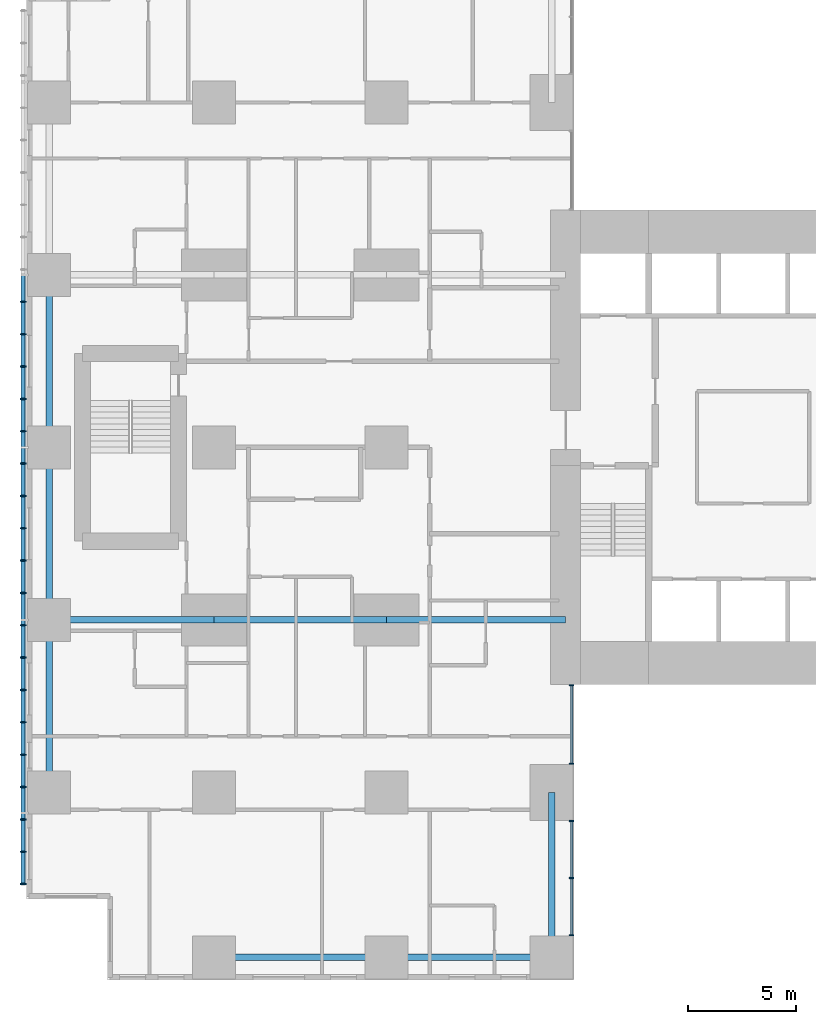
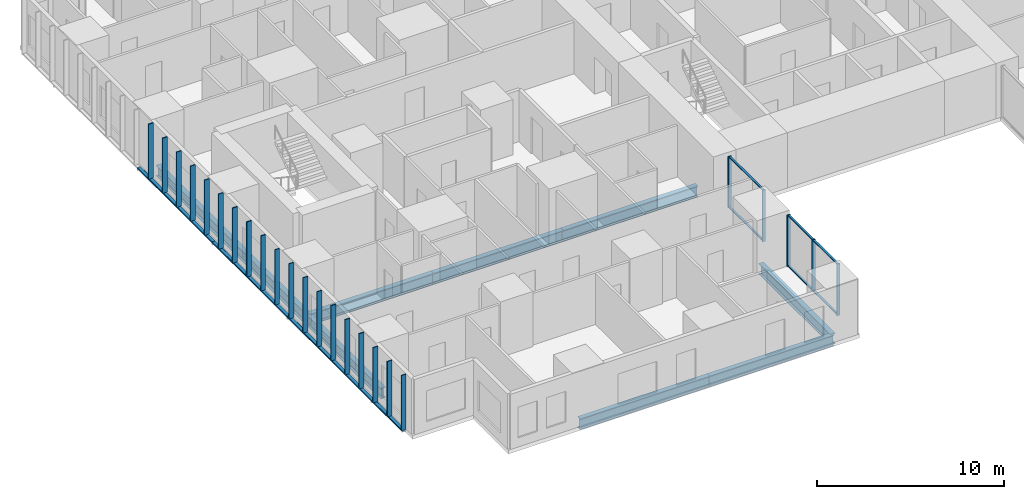
# One storey, part 2 of 20: 33 members, 9 beams, 2 elements without a shape of their own.
"""IFC4 building model written with IfcOpenShell, lengths in metres."""

from ifc_helpers import new_model, si_unit, direction, frame, origin, origin_2d, place, context, subcontext, project, spatial, rectangle, hollow_rectangle, i_section, extrude, material, layer, layer_set, material_profile, profile_set, type_object, element, aggregate, save


model = new_model("IFC4")

# Units and contexts
model_context = context("Model", 3, precision=1e-05, world=origin(), true_north=direction((0.0, 1.0)))
body_context = subcontext(model_context, "Body", "Model", "MODEL_VIEW")
ifc_project = project(units=[si_unit("LENGTHUNIT", "METRE"), si_unit("AREAUNIT", "SQUARE_METRE"), si_unit("VOLUMEUNIT", "CUBIC_METRE"), si_unit("PLANEANGLEUNIT", "RADIAN"), si_unit("MASSUNIT", "GRAM", prefix="KILO")], contexts=[model_context])

# Site, building, storey
site_placement = place(None, origin())
site = spatial("IfcSite", under=ifc_project, at=site_placement, CompositionType="ELEMENT")
building_placement = place(site_placement, origin())
building = spatial("IfcBuilding", under=site, at=building_placement, Name="Cleftline Residences", CompositionType="ELEMENT")
storey_placement = place(building_placement, frame((0.0, 0.0, 62.0)))
storey = spatial("IfcBuildingStorey", under=building, at=storey_placement, Name="L15", CompositionType="ELEMENT", Elevation=62.0)

# Members
ifc_material_1 = material(Name="Steel S355, hot-dip galvanised", Category="steel")
ifc_material_profile_1 = material_profile(ifc_material_1, hollow_rectangle(XDim=0.10009765625, YDim=0.199951171875, WallThickness=0.008056640625, InnerFilletRadius=0.008056640625, OuterFilletRadius=0.011962890625, at=origin_2d()))
ifc_profile_set_1 = profile_set([ifc_material_profile_1], Name="Steel S355, hot-dip galvanised")
member_type_1 = type_object("IfcMemberType", Name="BAGUETTE CARRIER RHS 200X100X8", PredefinedType="USERDEFINED", material=ifc_profile_set_1)
for number, where, z_axis, x_axis, name in (
    (1, (-0.85009765625, 32.0, -0.050048828125), (0.0, -1.0, 0.0), (0.0, 0.0, 1.0), "Baguette carrier"),
    (2, (-0.85009765625, 24.0, -0.050048828125), (0.0, -1.0, 0.0), (0.0, 0.0, 1.0), "Baguette carrier"),
):
    element("IfcMember", number, at=place(storey_placement, frame(where, z_axis=z_axis, x_axis=x_axis)), inside=storey, type_object=member_type_1, Name=name, ObjectType="BAGUETTE CARRIER", PredefinedType="USERDEFINED", context=body_context, shape_type="SweptSolid", body=[
        extrude(hollow_rectangle(XDim=0.10009765625, YDim=0.199951171875, WallThickness=0.008056640625, InnerFilletRadius=0.008056640625, OuterFilletRadius=0.011962890625, at=origin_2d()), origin(), (0.0, 0.0, 1.0), 8.0),
    ])
member_1_placement = place(storey_placement, frame((-0.85009765625, 16.0, -0.050048828125), z_axis=(0.0, -1.0, 0.0), x_axis=(0.0, 0.0, 1.0)))
element("IfcMember", 3, at=member_1_placement, inside=storey, type_object=member_type_1, Name="Baguette carrier", ObjectType="BAGUETTE CARRIER", PredefinedType="USERDEFINED", context=body_context, shape_type="SweptSolid", body=[
    extrude(hollow_rectangle(XDim=0.10009765625, YDim=0.199951171875, WallThickness=0.008056640625, InnerFilletRadius=0.008056640625, OuterFilletRadius=0.011962890625, at=origin_2d()), origin(), (0.0, 0.0, 1.0), 12.300048828125),
])

# Beams
ifc_material_2 = material(Name="Steel S355", Category="steel")
ifc_material_profile_2 = material_profile(ifc_material_2, i_section(OverallWidth=0.300048828125, OverallDepth=0.699951171875, WebThickness=0.01708984375, FlangeThickness=0.031982421875, FilletRadius=0.027099609375, at=origin_2d()))
ifc_profile_set_2 = profile_set([ifc_material_profile_2], Name="Steel S355")
beam_type_1 = type_object("IfcBeamType", Name="BEAM HEB 700", PredefinedType="BEAM", material=ifc_profile_set_2)
for number, where, z_axis, x_axis, name in (
    (4, (0.35009765625, 8.0, -0.60009765625), (0.0, 1.0, 0.0), (-1.0, 0.0, 0.0), "Edge beam"),
    (5, (0.35009765625, 16.0, -0.60009765625), (0.0, 1.0, 0.0), (-1.0, 0.0, 0.0), "Edge beam"),
    (6, (0.35009765625, 24.0, -0.60009765625), (0.0, 1.0, 0.0), (-1.0, 0.0, 0.0), "Edge beam"),
    (7, (8.0, 0.35009765625, -0.60009765625), (1.0, 0.0, 0.0), (0.0, 1.0, 0.0), "Edge beam"),
):
    element("IfcBeam", number, at=place(storey_placement, frame(where, z_axis=z_axis, x_axis=x_axis)), inside=storey, type_object=beam_type_1, Name=name, PredefinedType="BEAM", context=body_context, shape_type="SweptSolid", body=[
        extrude(i_section(OverallWidth=0.300048828125, OverallDepth=0.699951171875, WebThickness=0.01708984375, FlangeThickness=0.031982421875, FilletRadius=0.027099609375, at=origin_2d()), origin(), (0.0, 0.0, 1.0), 8.0),
    ])
for number, where, z_axis, x_axis, name in (
    (8, (16.0, 0.35009765625, -0.60009765625), (1.0, 0.0, 0.0), (0.0, 1.0, 0.0), "Edge beam"),
    (9, (23.64990234375, 0.35009765625, -0.60009765625), (0.0, 1.0, 0.0), (-1.0, 0.0, 0.0), "Edge beam"),
):
    element("IfcBeam", number, at=place(storey_placement, frame(where, z_axis=z_axis, x_axis=x_axis)), inside=storey, type_object=beam_type_1, Name=name, PredefinedType="BEAM", context=body_context, shape_type="SweptSolid", body=[
        extrude(i_section(OverallWidth=0.300048828125, OverallDepth=0.699951171875, WebThickness=0.01708984375, FlangeThickness=0.031982421875, FilletRadius=0.027099609375, at=origin_2d()), origin(), (0.0, 0.0, 1.0), 7.64990234375),
    ])
ifc_material_3 = material(Name="Steel S355", Category="steel")
ifc_material_profile_3 = material_profile(ifc_material_3, i_section(OverallWidth=0.303955078125, OverallDepth=0.716064453125, WebThickness=0.02099609375, FlangeThickness=0.0400390625, FilletRadius=0.027099609375, at=origin_2d()))
ifc_profile_set_3 = profile_set([ifc_material_profile_3], Name="Steel S355")
beam_type_2 = type_object("IfcBeamType", Name="BEAM HEM 700", PredefinedType="BEAM", material=ifc_profile_set_3)
beam_1_placement = place(storey_placement, frame((0.35009765625, 16.0, -0.60791015625), z_axis=(1.0, 0.0, 0.0), x_axis=(0.0, 1.0, 0.0)))
element("IfcBeam", 10, at=beam_1_placement, inside=storey, type_object=beam_type_2, Name="Band beam", PredefinedType="BEAM", context=body_context, shape_type="SweptSolid", body=[
    extrude(i_section(OverallWidth=0.303955078125, OverallDepth=0.716064453125, WebThickness=0.02099609375, FlangeThickness=0.0400390625, FilletRadius=0.027099609375, at=origin_2d()), origin(), (0.0, 0.0, 1.0), 7.64990234375),
])
beam_2_placement = place(storey_placement, frame((8.0, 16.0, -0.60791015625), z_axis=(1.0, 0.0, 0.0), x_axis=(0.0, 1.0, 0.0)))
element("IfcBeam", 11, at=beam_2_placement, inside=storey, type_object=beam_type_2, Name="Band beam", PredefinedType="BEAM", context=body_context, shape_type="SweptSolid", body=[
    extrude(i_section(OverallWidth=0.303955078125, OverallDepth=0.716064453125, WebThickness=0.02099609375, FlangeThickness=0.0400390625, FilletRadius=0.027099609375, at=origin_2d()), origin(), (0.0, 0.0, 1.0), 8.0),
])
beam_3_placement = place(storey_placement, frame((16.0, 16.0, -0.60791015625), z_axis=(1.0, 0.0, 0.0), x_axis=(0.0, 1.0, 0.0)))
element("IfcBeam", 12, at=beam_3_placement, inside=storey, type_object=beam_type_2, Name="Band beam", PredefinedType="BEAM", context=body_context, shape_type="SweptSolid", body=[
    extrude(i_section(OverallWidth=0.303955078125, OverallDepth=0.716064453125, WebThickness=0.02099609375, FlangeThickness=0.0400390625, FilletRadius=0.027099609375, at=origin_2d()), origin(), (0.0, 0.0, 1.0), 8.300048828125),
])

# Curtain wall, members
ifc_material_4 = material(Name="Aluminium framed curtain wall", Category="aluminium")
ifc_layer = layer(ifc_material_4, 0.199951171875)
ifc_layer_set = layer_set([ifc_layer], Name="CW1 CLEFT GLAZING")
curtain_wall_type = type_object("IfcCurtainWallType", Name="CW1 CLEFT GLAZING", PredefinedType="NOTDEFINED", material=ifc_layer_set)
curtain_wall_1_placement = place(storey_placement, origin())
curtain_wall_1 = element("IfcCurtainWall", 13, at=curtain_wall_1_placement, inside=storey, type_object=curtain_wall_type, Name="Curtain wall CW1", PredefinedType="NOTDEFINED")
ifc_material_5 = material(Name="Aluminium mullion", Category="aluminium")
ifc_material_profile_4 = material_profile(ifc_material_5, rectangle(XDim=0.199951171875, YDim=0.06005859375, at=origin_2d()))
ifc_profile_set_4 = profile_set([ifc_material_profile_4], Name="Aluminium mullion")
member_type_2 = type_object("IfcMemberType", Name="CW1 MULLION", PredefinedType="MULLION", material=ifc_profile_set_4)
member_2_placement = place(storey_placement, frame((24.574951171875, 1.3798828125, 0.0), z_axis=(0.0, 0.0, 1.0), x_axis=(-1.0, 0.0, 0.0)))
member_2 = element("IfcMember", 14, at=member_2_placement, type_object=member_type_2, Name="CW1 mullion 1", PredefinedType="MULLION", context=body_context, shape_type="SweptSolid", body=[
    extrude(rectangle(XDim=0.199951171875, YDim=0.06005859375, at=origin_2d()), origin(), (0.0, 0.0, 1.0), 3.35009765625),
])
member_3_placement = place(storey_placement, frame((24.574951171875, 4.02490234375, 0.0), z_axis=(0.0, 0.0, 1.0), x_axis=(-1.0, 0.0, 0.0)))
member_3 = element("IfcMember", 15, at=member_3_placement, type_object=member_type_2, Name="CW1 mullion 2", PredefinedType="MULLION", context=body_context, shape_type="SweptSolid", body=[
    extrude(rectangle(XDim=0.199951171875, YDim=0.06005859375, at=origin_2d()), origin(), (0.0, 0.0, 1.0), 3.35009765625),
])
member_4_placement = place(storey_placement, frame((24.574951171875, 6.669921875, 0.0), z_axis=(0.0, 0.0, 1.0), x_axis=(-1.0, 0.0, 0.0)))
member_4 = element("IfcMember", 16, at=member_4_placement, type_object=member_type_2, Name="CW1 mullion 3", PredefinedType="MULLION", context=body_context, shape_type="SweptSolid", body=[
    extrude(rectangle(XDim=0.199951171875, YDim=0.06005859375, at=origin_2d()), origin(), (0.0, 0.0, 1.0), 3.35009765625),
])

curtain_wall_2_placement = place(storey_placement, origin())
curtain_wall_2 = element("IfcCurtainWall", 17, at=curtain_wall_2_placement, inside=storey, type_object=curtain_wall_type, Name="Curtain wall CW1", PredefinedType="NOTDEFINED")
member_5_placement = place(storey_placement, frame((24.574951171875, 9.330078125, 0.0), z_axis=(0.0, 0.0, 1.0), x_axis=(-1.0, 0.0, 0.0)))
member_5 = element("IfcMember", 18, at=member_5_placement, type_object=member_type_2, Name="CW1 mullion 1", PredefinedType="MULLION", context=body_context, shape_type="SweptSolid", body=[
    extrude(rectangle(XDim=0.199951171875, YDim=0.06005859375, at=origin_2d()), origin(), (0.0, 0.0, 1.0), 3.35009765625),
])
member_6_placement = place(storey_placement, frame((24.574951171875, 12.969970703125, 0.0), z_axis=(0.0, 0.0, 1.0), x_axis=(-1.0, 0.0, 0.0)))
member_6 = element("IfcMember", 19, at=member_6_placement, type_object=member_type_2, Name="CW1 mullion 2", PredefinedType="MULLION", context=body_context, shape_type="SweptSolid", body=[
    extrude(rectangle(XDim=0.199951171875, YDim=0.06005859375, at=origin_2d()), origin(), (0.0, 0.0, 1.0), 3.35009765625),
])

# Member
ifc_material_6 = material(Name="Aluminium transom", Category="aluminium")
ifc_material_profile_5 = material_profile(ifc_material_6, rectangle(XDim=0.1201171875, YDim=0.06005859375, at=origin_2d()))
ifc_profile_set_5 = profile_set([ifc_material_profile_5], Name="Aluminium transom")
member_type_3 = type_object("IfcMemberType", Name="CW1 TRANSOM", PredefinedType="USERDEFINED", material=ifc_profile_set_5)
member_7_placement = place(storey_placement, frame((24.574951171875, 1.409912109375, 0.030029296875), z_axis=(0.0, 1.0, 0.0), x_axis=(-1.0, 0.0, 0.0)))
member_7 = element("IfcMember", 20, at=member_7_placement, type_object=member_type_3, Name="CW1 transom 1.1", ObjectType="TRANSOM", PredefinedType="USERDEFINED", context=body_context, shape_type="SweptSolid", body=[
    extrude(rectangle(XDim=0.1201171875, YDim=0.06005859375, at=origin_2d()), origin(), (0.0, 0.0, 1.0), 2.585205078125),
])

member_8_placement = place(storey_placement, frame((24.574951171875, 1.409912109375, 3.320068359375), z_axis=(0.0, 1.0, 0.0), x_axis=(-1.0, 0.0, 0.0)))
member_8 = element("IfcMember", 21, at=member_8_placement, type_object=member_type_3, Name="CW1 transom 1.2", ObjectType="TRANSOM", PredefinedType="USERDEFINED", context=body_context, shape_type="SweptSolid", body=[
    extrude(rectangle(XDim=0.1201171875, YDim=0.06005859375, at=origin_2d()), origin(), (0.0, 0.0, 1.0), 2.585205078125),
])

member_9_placement = place(storey_placement, frame((24.574951171875, 4.054931640625, 0.030029296875), z_axis=(0.0, 1.0, 0.0), x_axis=(-1.0, 0.0, 0.0)))
member_9 = element("IfcMember", 22, at=member_9_placement, type_object=member_type_3, Name="CW1 transom 2.1", ObjectType="TRANSOM", PredefinedType="USERDEFINED", context=body_context, shape_type="SweptSolid", body=[
    extrude(rectangle(XDim=0.1201171875, YDim=0.06005859375, at=origin_2d()), origin(), (0.0, 0.0, 1.0), 2.5849609375),
])

member_10_placement = place(storey_placement, frame((24.574951171875, 4.054931640625, 3.320068359375), z_axis=(0.0, 1.0, 0.0), x_axis=(-1.0, 0.0, 0.0)))
member_10 = element("IfcMember", 23, at=member_10_placement, type_object=member_type_3, Name="CW1 transom 2.2", ObjectType="TRANSOM", PredefinedType="USERDEFINED", context=body_context, shape_type="SweptSolid", body=[
    extrude(rectangle(XDim=0.1201171875, YDim=0.06005859375, at=origin_2d()), origin(), (0.0, 0.0, 1.0), 2.5849609375),
])

aggregate(curtain_wall_1, [member_2, member_3, member_4, member_7, member_8, member_9, member_10])

member_11_placement = place(storey_placement, frame((24.574951171875, 9.360107421875, 0.030029296875), z_axis=(0.0, 1.0, 0.0), x_axis=(-1.0, 0.0, 0.0)))
member_11 = element("IfcMember", 24, at=member_11_placement, type_object=member_type_3, Name="CW1 transom 1.1", ObjectType="TRANSOM", PredefinedType="USERDEFINED", context=body_context, shape_type="SweptSolid", body=[
    extrude(rectangle(XDim=0.1201171875, YDim=0.06005859375, at=origin_2d()), origin(), (0.0, 0.0, 1.0), 3.579833984375),
])

member_12_placement = place(storey_placement, frame((24.574951171875, 9.360107421875, 3.320068359375), z_axis=(0.0, 1.0, 0.0), x_axis=(-1.0, 0.0, 0.0)))
member_12 = element("IfcMember", 25, at=member_12_placement, type_object=member_type_3, Name="CW1 transom 1.2", ObjectType="TRANSOM", PredefinedType="USERDEFINED", context=body_context, shape_type="SweptSolid", body=[
    extrude(rectangle(XDim=0.1201171875, YDim=0.06005859375, at=origin_2d()), origin(), (0.0, 0.0, 1.0), 3.579833984375),
])

aggregate(curtain_wall_2, [member_5, member_6, member_11, member_12])

# Members
ifc_material_7 = material(Name="Extruded terracotta", Category="masonry")
ifc_material_profile_6 = material_profile(ifc_material_7, rectangle(XDim=0.06005859375, YDim=0.300048828125, at=origin_2d()))
ifc_profile_set_6 = profile_set([ifc_material_profile_6], Name="Extruded terracotta")
member_type_4 = type_object("IfcMemberType", Name="TERRACOTTA BAGUETTE 60X300", PredefinedType="USERDEFINED", material=ifc_profile_set_6)
for number, where, z_axis, x_axis, name in (
    (26, (-0.85009765625, 30.75, 0.0), (0.0, 0.0, 1.0), (0.0, 1.0, 0.0), "Terracotta baguette"),
    (27, (-0.85009765625, 29.25, 0.0), (0.0, 0.0, 1.0), (0.0, 1.0, 0.0), "Terracotta baguette"),
    (28, (-0.85009765625, 27.75, 0.0), (0.0, 0.0, 1.0), (0.0, 1.0, 0.0), "Terracotta baguette"),
    (29, (-0.85009765625, 26.25, 0.0), (0.0, 0.0, 1.0), (0.0, 1.0, 0.0), "Terracotta baguette"),
    (30, (-0.85009765625, 24.75, 0.0), (0.0, 0.0, 1.0), (0.0, 1.0, 0.0), "Terracotta baguette"),
    (31, (-0.85009765625, 23.25, 0.0), (0.0, 0.0, 1.0), (0.0, 1.0, 0.0), "Terracotta baguette"),
    (32, (-0.85009765625, 21.75, 0.0), (0.0, 0.0, 1.0), (0.0, 1.0, 0.0), "Terracotta baguette"),
    (33, (-0.85009765625, 20.25, 0.0), (0.0, 0.0, 1.0), (0.0, 1.0, 0.0), "Terracotta baguette"),
    (34, (-0.85009765625, 18.75, 0.0), (0.0, 0.0, 1.0), (0.0, 1.0, 0.0), "Terracotta baguette"),
    (35, (-0.85009765625, 17.25, 0.0), (0.0, 0.0, 1.0), (0.0, 1.0, 0.0), "Terracotta baguette"),
    (36, (-0.85009765625, 15.75, 0.0), (0.0, 0.0, 1.0), (0.0, 1.0, 0.0), "Terracotta baguette"),
    (37, (-0.85009765625, 14.25, 0.0), (0.0, 0.0, 1.0), (0.0, 1.0, 0.0), "Terracotta baguette"),
    (38, (-0.85009765625, 12.75, 0.0), (0.0, 0.0, 1.0), (0.0, 1.0, 0.0), "Terracotta baguette"),
    (39, (-0.85009765625, 11.25, 0.0), (0.0, 0.0, 1.0), (0.0, 1.0, 0.0), "Terracotta baguette"),
    (40, (-0.85009765625, 9.75, 0.0), (0.0, 0.0, 1.0), (0.0, 1.0, 0.0), "Terracotta baguette"),
    (41, (-0.85009765625, 8.25, 0.0), (0.0, 0.0, 1.0), (0.0, 1.0, 0.0), "Terracotta baguette"),
    (42, (-0.85009765625, 6.75, 0.0), (0.0, 0.0, 1.0), (0.0, 1.0, 0.0), "Terracotta baguette"),
    (43, (-0.85009765625, 5.25, 0.0), (0.0, 0.0, 1.0), (0.0, 1.0, 0.0), "Terracotta baguette"),
    (44, (-0.85009765625, 3.75, 0.0), (0.0, 0.0, 1.0), (0.0, 1.0, 0.0), "Terracotta baguette"),
):
    element("IfcMember", number, at=place(storey_placement, frame(where, z_axis=z_axis, x_axis=x_axis)), inside=storey, type_object=member_type_4, Name=name, ObjectType="BAGUETTE", PredefinedType="USERDEFINED", context=body_context, shape_type="SweptSolid", body=[
        extrude(rectangle(XDim=0.06005859375, YDim=0.300048828125, at=origin_2d()), origin(), (0.0, 0.0, 1.0), 3.60009765625),
    ])

save(model, "model.ifc")
